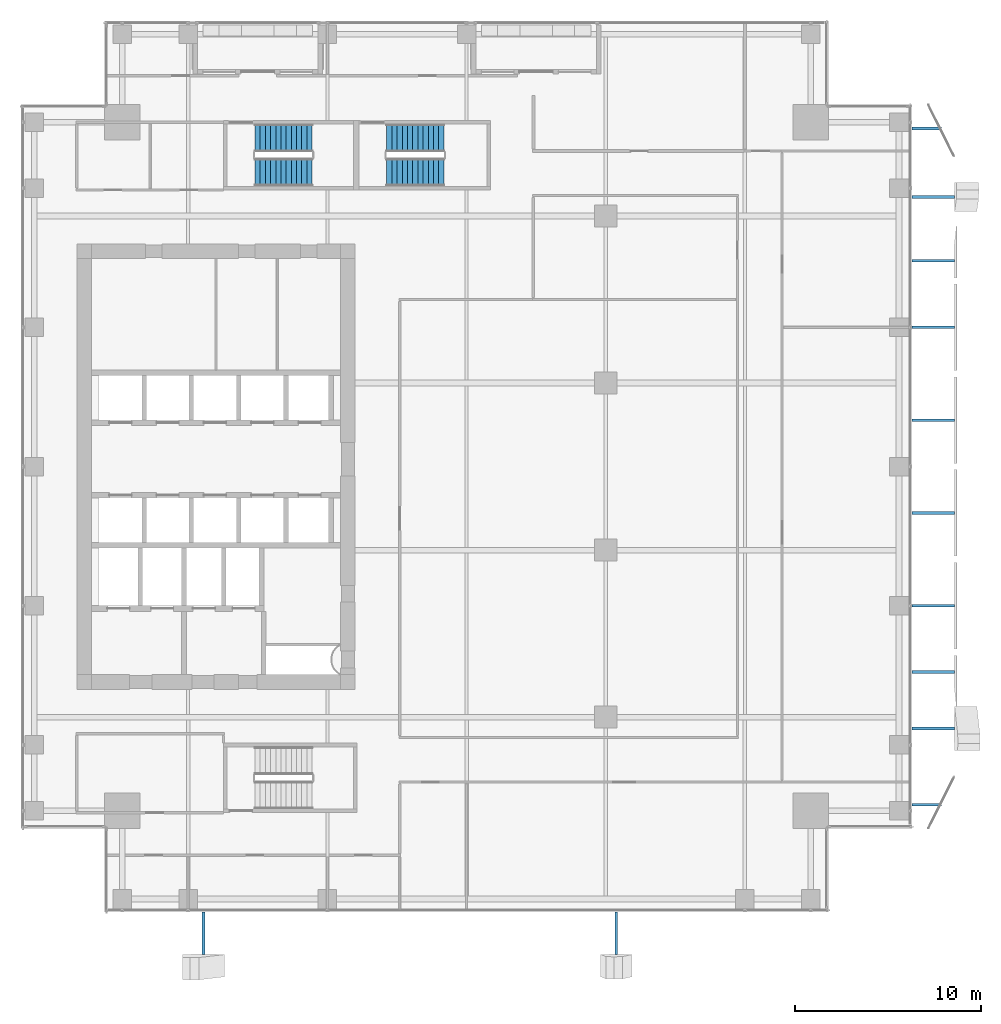
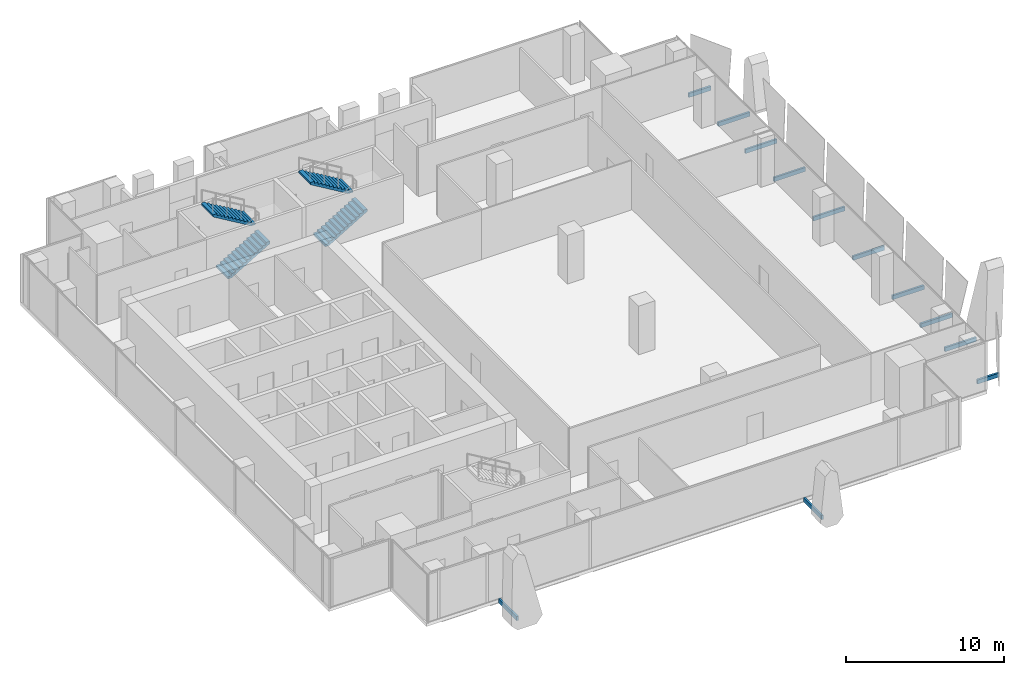
# One storey, part 35 of 38: 12 discrete accessories, 4 stair flights, 2 elements without a shape of their own.
"""IFC4 building model written with IfcOpenShell, lengths in metres."""

from ifc_helpers import new_model, si_unit, direction, frame, origin, origin_2d, place, context, subcontext, project, spatial, polyline, rectangle, outline, extrude, source, transform, mapped, material, type_object, element, aggregate, save


model = new_model("IFC4")

# Units and contexts
model_context = context("Model", 3, precision=1e-05, world=origin(), true_north=direction((0.0, 1.0)))
body_context = subcontext(model_context, "Body", "Model", "MODEL_VIEW")
ifc_project = project(units=[si_unit("LENGTHUNIT", "METRE"), si_unit("AREAUNIT", "SQUARE_METRE"), si_unit("VOLUMEUNIT", "CUBIC_METRE"), si_unit("PLANEANGLEUNIT", "RADIAN"), si_unit("MASSUNIT", "GRAM", prefix="KILO")], contexts=[model_context])

# Site, building, storey
site_placement = place(None, origin())
site = spatial("IfcSite", under=ifc_project, at=site_placement, CompositionType="ELEMENT")
building_placement = place(site_placement, origin())
building = spatial("IfcBuilding", under=site, at=building_placement, Name="Khomas Fold Tower", CompositionType="ELEMENT")
storey_placement = place(building_placement, frame((0.0, 0.0, 208.699951171875)))
storey = spatial("IfcBuildingStorey", under=building, at=storey_placement, Name="L46", CompositionType="ELEMENT", Elevation=208.699951171875)

# Stair, stair flights
ifc_material_1 = material(Name="Concrete C40/50", Category="concrete")
stair_type_1 = type_object("IfcStairType", Name="Stair ST1", PredefinedType="HALF_TURN_STAIR", material=ifc_material_1)
stair_1_placement = place(storey_placement, origin())
stair_1 = element("IfcStair", 1, at=stair_1_placement, inside=storey, type_object=stair_type_1, Name="L46 ST1", PredefinedType="HALF_TURN_STAIR")
ifc_material_2 = material(Name="Concrete C40/50", Category="concrete")
stair_flight_type_1 = type_object("IfcStairFlightType", Name="Stair flight 1500 ST1", PredefinedType="STRAIGHT", material=ifc_material_2)
shared_shape_1 = source(origin(), body_context, "Body", "SweptSolid", [
    extrude(outline(polyline([(0.0, 0.0), (0.0, 0.012939453125), (0.0, 0.025634765625), (0.0, 0.03857421875), (0.0, 0.05126953125), (0.0, 0.064208984375), (0.0, 0.076904296875), (0.0, 0.08984375), (0.0, 0.1025390625), (0.0, 0.115478515625), (0.0, 0.128173828125), (0.0, 0.14111328125), (0.0, 0.15380859375), (0.0, 0.166748046875), (0.280029296875, 0.166748046875), (0.280029296875, 0.333251953125), (0.56005859375, 0.333251953125), (0.56005859375, 0.5), (0.840087890625, 0.5), (0.840087890625, 0.666748046875), (1.1201171875, 0.666748046875), (1.1201171875, 0.833251953125), (1.39990234375, 0.833251953125), (1.39990234375, 1.0), (1.679931640625, 1.0), (1.679931640625, 1.166748046875), (1.9599609375, 1.166748046875), (1.9599609375, 1.333251953125), (2.239990234375, 1.333251953125), (2.239990234375, 1.5), (2.52001953125, 1.5), (2.52001953125, 1.666748046875), (2.800048828125, 1.666748046875), (2.800048828125, 1.833251953125), (3.080078125, 1.833251953125), (3.080078125, 2.0), (3.080078125, 1.973876953125), (3.080078125, 1.947509765625), (3.080078125, 1.92138671875), (3.080078125, 1.89501953125), (3.080078125, 1.868896484375), (3.080078125, 1.842529296875), (3.080078125, 1.81640625), (3.080078125, 1.7900390625), (3.080078125, 1.763916015625), (3.080078125, 1.737548828125), (3.080078125, 1.71142578125), (3.080078125, 1.68505859375), (3.080078125, 1.658935546875), (0.29296875, 0.0), (0.0, 0.0)])), frame((0.0, 0.75, 0.0), z_axis=(0.0, -1.0, 0.0), x_axis=(1.0, 0.0, 0.0)), (0.0, 0.0, 1.0), 1.5),
])
stair_flight_1_placement = place(storey_placement, frame((15.60009765625, 42.85009765625, 0.0), z_axis=(0.0, 0.0, 1.0), x_axis=(1.0, 0.0, 0.0)))
stair_flight_1 = element("IfcStairFlight", 2, at=stair_flight_1_placement, type_object=stair_flight_type_1, Name="ST1 flight 1", NumberOfRisers=12, NumberOfTreads=11, PredefinedType="STRAIGHT", RiserHeight=0.166666667, TreadLength=0.28, context=body_context, shape_type="MappedRepresentation", body=[
    mapped(shared_shape_1, transform((0.0, 0.0, 0.0))),
])
stair_flight_2_placement = place(storey_placement, frame((18.679931640625, 44.699951171875, 2.0), z_axis=(0.0, 0.0, 1.0), x_axis=(-1.0, 0.0, 0.0)))
stair_flight_2 = element("IfcStairFlight", 3, at=stair_flight_2_placement, type_object=stair_flight_type_1, Name="ST1 flight 2", NumberOfRisers=12, NumberOfTreads=11, PredefinedType="STRAIGHT", RiserHeight=0.166666667, TreadLength=0.28, context=body_context, shape_type="MappedRepresentation", body=[
    mapped(shared_shape_1, transform((0.0, 0.0, 0.0))),
])
aggregate(stair_1, [stair_flight_1, stair_flight_2])

ifc_material_3 = material(Name="Concrete C40/50", Category="concrete")
stair_type_2 = type_object("IfcStairType", Name="Stair ST3", PredefinedType="HALF_TURN_STAIR", material=ifc_material_3)
stair_2_placement = place(storey_placement, origin())
stair_2 = element("IfcStair", 4, at=stair_2_placement, inside=storey, type_object=stair_type_2, Name="L46 ST3", PredefinedType="HALF_TURN_STAIR")
ifc_material_4 = material(Name="Concrete C40/50", Category="concrete")
stair_flight_type_2 = type_object("IfcStairFlightType", Name="Stair flight 1500 ST3", PredefinedType="STRAIGHT", material=ifc_material_4)
stair_flight_3_placement = place(storey_placement, frame((22.699951171875, 42.85009765625, 0.0), z_axis=(0.0, 0.0, 1.0), x_axis=(1.0, 0.0, 0.0)))
stair_flight_3 = element("IfcStairFlight", 5, at=stair_flight_3_placement, type_object=stair_flight_type_2, Name="ST3 flight 1", NumberOfRisers=12, NumberOfTreads=11, PredefinedType="STRAIGHT", RiserHeight=0.166666667, TreadLength=0.28, context=body_context, shape_type="MappedRepresentation", body=[
    mapped(shared_shape_1, transform((0.0, 0.0, 0.0))),
])
stair_flight_4_placement = place(storey_placement, frame((25.780029296875, 44.699951171875, 2.0), z_axis=(0.0, 0.0, 1.0), x_axis=(-1.0, 0.0, 0.0)))
stair_flight_4 = element("IfcStairFlight", 6, at=stair_flight_4_placement, type_object=stair_flight_type_2, Name="ST3 flight 2", NumberOfRisers=12, NumberOfTreads=11, PredefinedType="STRAIGHT", RiserHeight=0.166666667, TreadLength=0.28, context=body_context, shape_type="MappedRepresentation", body=[
    mapped(shared_shape_1, transform((0.0, 0.0, 0.0))),
])
aggregate(stair_2, [stair_flight_3, stair_flight_4])

# Discrete accessories
ifc_material_5 = material(Name="Stainless steel", Category="steel")
discrete_accessory_type = type_object("IfcDiscreteAccessoryType", Name="SK-Stainless steel stone bracket", PredefinedType="BRACKET", material=ifc_material_5)
shared_shape_2 = source(origin(), body_context, "Body", "SweptSolid", [
    extrude(rectangle(XDim=2.30322265625, YDim=0.14990234375, at=origin_2d()), origin(), (0.0, 0.0, 1.0), 0.31005859375),
])
for number, where, z_axis, x_axis, name in (
    (7, (12.83154296875, 1.848388671875, -0.25), (0.0, 0.0, 1.0), (0.0, -1.0, 0.0), "Stone bracket L46 SS03-1-1"),
    (8, (35.070068359375, 1.848388671875, -0.25), (0.0, 0.0, 1.0), (0.0, -1.0, 0.0), "Stone bracket L46 SS06-2-1"),
    (9, (52.151611328125, 12.88671875, -0.25), (0.0, 0.0, 1.0), (1.0, 0.0, 0.0), "Stone bracket L46 ES03-1-1"),
    (10, (52.151611328125, 41.522216796875, -0.25), (0.0, 0.0, 1.0), (1.0, 0.0, 0.0), "Stone bracket L46 ES06-2-1"),
    (11, (52.151611328125, 15.936767578125, -0.25), (0.0, 0.0, 1.0), (1.0, 0.0, 0.0), "Stone bracket L46 EG100-2-1"),
    (12, (52.151611328125, 19.5, -0.25), (0.0, 0.0, 1.0), (1.0, 0.0, 0.0), "Stone bracket L46 EG101-3-1"),
    (13, (52.151611328125, 24.5, -0.25), (0.0, 0.0, 1.0), (1.0, 0.0, 0.0), "Stone bracket L46 EG102-4-1"),
    (14, (52.151611328125, 29.5, -0.25), (0.0, 0.0, 1.0), (1.0, 0.0, 0.0), "Stone bracket L46 EG103-5-1"),
    (15, (52.151611328125, 34.5, -0.25), (0.0, 0.0, 1.0), (1.0, 0.0, 0.0), "Stone bracket L46 EG104-6-1"),
    (16, (52.151611328125, 38.085693359375, -0.25), (0.0, 0.0, 1.0), (1.0, 0.0, 0.0), "Stone bracket L46 EG105-7-1"),
):
    element("IfcDiscreteAccessory", number, at=place(storey_placement, frame(where, z_axis=z_axis, x_axis=x_axis)), inside=storey, type_object=discrete_accessory_type, Name=name, PredefinedType="BRACKET", context=body_context, shape_type="MappedRepresentation", body=[
        mapped(shared_shape_2, transform((0.0, 0.0, 0.0))),
    ])
shared_shape_3 = source(origin(), body_context, "Body", "SweptSolid", [
    extrude(rectangle(XDim=1.602294921875, YDim=0.14990234375, at=origin_2d()), origin(), (0.0, 0.0, 1.0), 0.31005859375),
])
for number, where, z_axis, x_axis, name in (
    (17, (51.801025390625, 8.779296875, -0.25), (0.0, 0.0, 1.0), (1.0, 0.0, 0.0), "Stone bracket L46 EG099-1-1"),
    (18, (51.801025390625, 45.220703125, -0.25), (0.0, 0.0, 1.0), (1.0, 0.0, 0.0), "Stone bracket L46 EG106-8-1"),
):
    element("IfcDiscreteAccessory", number, at=place(storey_placement, frame(where, z_axis=z_axis, x_axis=x_axis)), inside=storey, type_object=discrete_accessory_type, Name=name, PredefinedType="BRACKET", context=body_context, shape_type="MappedRepresentation", body=[
        mapped(shared_shape_3, transform((0.0, 0.0, 0.0))),
    ])

save(model, "model.ifc")
